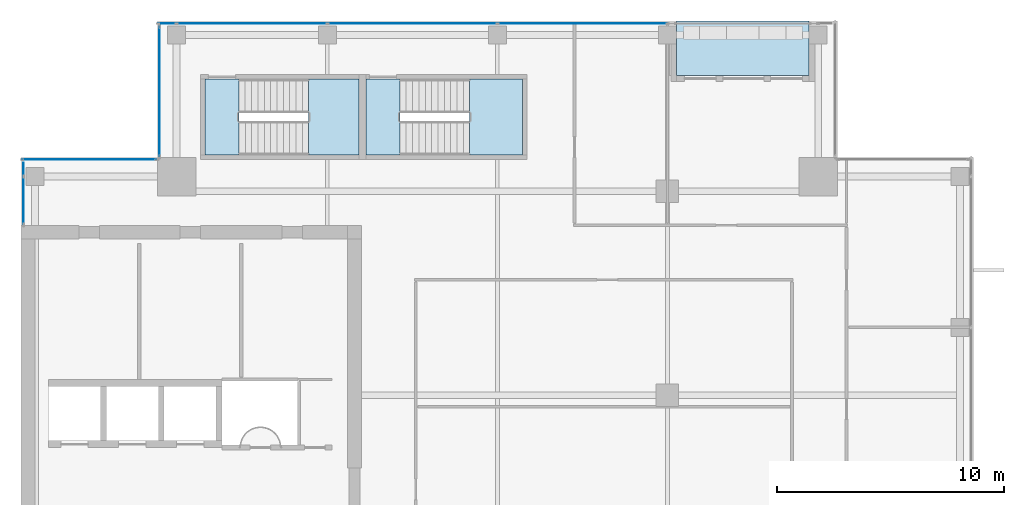
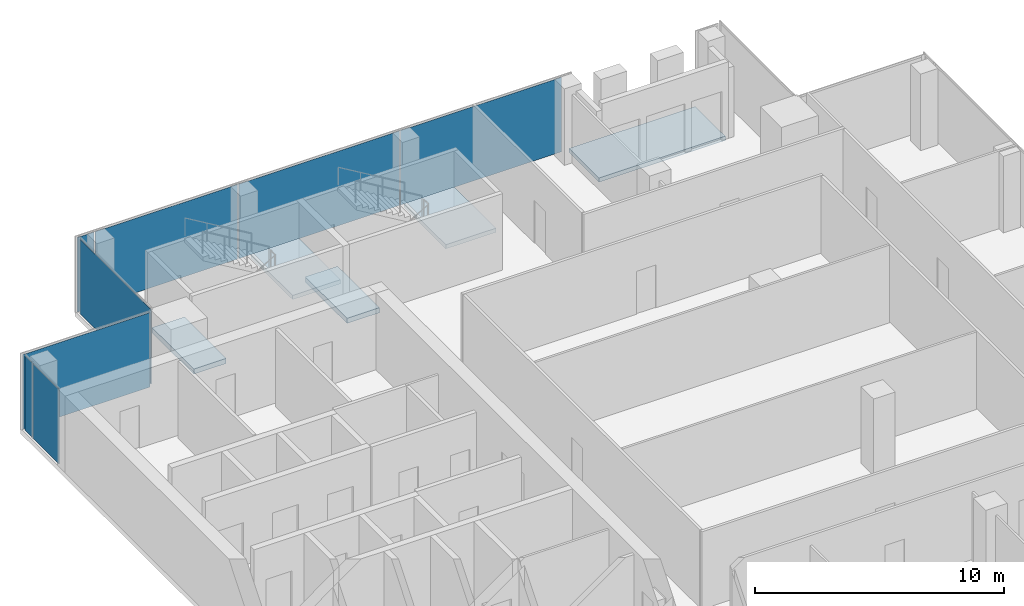
# One storey, part 22 of 29: 8 plates, 5 slabs, 6 elements without a shape of their own.
"""IFC4 building model written with IfcOpenShell, lengths in metres."""

from ifc_helpers import new_model, si_unit, direction, frame, origin, origin_2d, place, context, subcontext, project, spatial, polyline, rectangle, outline, extrude, source, transform, mapped, material, layer, layer_set, type_object, element, aggregate, save


model = new_model("IFC4")

# Units and contexts
model_context = context("Model", 3, precision=1e-05, world=origin(), true_north=direction((0.0, 1.0)))
body_context = subcontext(model_context, "Body", "Model", "MODEL_VIEW")
ifc_project = project(units=[si_unit("LENGTHUNIT", "METRE"), si_unit("AREAUNIT", "SQUARE_METRE"), si_unit("VOLUMEUNIT", "CUBIC_METRE"), si_unit("PLANEANGLEUNIT", "RADIAN"), si_unit("MASSUNIT", "GRAM", prefix="KILO")], contexts=[model_context])

# Site, building, storey
site_placement = place(None, origin())
site = spatial("IfcSite", under=ifc_project, at=site_placement, CompositionType="ELEMENT")
building_placement = place(site_placement, origin())
building = spatial("IfcBuilding", under=site, at=building_placement, Name="Khomas Fold Tower", CompositionType="ELEMENT")
storey_placement = place(building_placement, frame((0.0, 0.0, 290.199951171875)))
storey = spatial("IfcBuildingStorey", under=building, at=storey_placement, Name="L65", CompositionType="ELEMENT", Elevation=290.199951171875)

# Curtain wall, plate
ifc_material_1 = material(Name="Aluminium framed double glazing", Category="aluminium")
curtain_wall_type = type_object("IfcCurtainWallType", Name="SK-Unitised clear-glass wall, upper floors CW3", PredefinedType="NOTDEFINED", material=ifc_material_1)
curtain_wall_1_placement = place(storey_placement, origin())
curtain_wall_1 = element("IfcCurtainWall", 1, at=curtain_wall_1_placement, inside=storey, type_object=curtain_wall_type, Name="CW3 run L65 09-0", PredefinedType="NOTDEFINED")
ifc_material_2 = material(Name="Clear double glazed unit")
ifc_layer_1 = layer(ifc_material_2, 0.028076171875)
ifc_layer_set_1 = layer_set([ifc_layer_1], Name="Clear double glazed unit")
plate_type = type_object("IfcPlateType", Name="SK-Unitised clear-glass wall, upper floors glass panel CW3-P", PredefinedType="CURTAIN_PANEL", material=ifc_layer_set_1)
shared_shape_1 = source(origin(), body_context, "Body", "SweptSolid", [
    extrude(rectangle(XDim=0.574951171875, YDim=0.028076171875, at=origin_2d()), origin(), (0.0, 0.0, 1.0), 3.64990234375),
])
plate_1_placement = place(storey_placement, frame((6.10009765625, 41.46240234375, 0.0), z_axis=(0.0, 0.0, 1.0), x_axis=(0.0, -1.0, 0.0)))
plate_1 = element("IfcPlate", 2, at=plate_1_placement, type_object=plate_type, Name="CW3 glass panel 1", PredefinedType="CURTAIN_PANEL", context=body_context, shape_type="MappedRepresentation", body=[
    mapped(shared_shape_1, transform((0.0, 0.0, 0.0))),
])

# Curtain wall, plates
curtain_wall_2_placement = place(storey_placement, origin())
curtain_wall_2 = element("IfcCurtainWall", 3, at=curtain_wall_2_placement, inside=storey, type_object=curtain_wall_type, Name="CW3 run L65 06-1", PredefinedType="NOTDEFINED")
shared_shape_2 = source(origin(), body_context, "Body", "SweptSolid", [
    extrude(rectangle(XDim=6.60009765625, YDim=0.028076171875, at=origin_2d()), origin(), (0.0, 0.0, 1.0), 3.64990234375),
])
plate_2_placement = place(storey_placement, frame((16.175048828125, 47.89990234375, 0.0), z_axis=(0.0, 0.0, 1.0), x_axis=(-1.0, 0.0, 0.0)))
plate_2 = element("IfcPlate", 4, at=plate_2_placement, type_object=plate_type, Name="CW3 glass panel 4", PredefinedType="CURTAIN_PANEL", context=body_context, shape_type="MappedRepresentation", body=[
    mapped(shared_shape_2, transform((0.0, 0.0, 0.0))),
])
shared_shape_3 = source(origin(), body_context, "Body", "SweptSolid", [
    extrude(rectangle(XDim=7.449951171875, YDim=0.028076171875, at=origin_2d()), origin(), (0.0, 0.0, 1.0), 3.64990234375),
])
plate_3_placement = place(storey_placement, frame((30.75, 47.89990234375, 0.0), z_axis=(0.0, 0.0, 1.0), x_axis=(-1.0, 0.0, 0.0)))
plate_3 = element("IfcPlate", 5, at=plate_3_placement, type_object=plate_type, Name="CW3 glass panel 2", PredefinedType="CURTAIN_PANEL", context=body_context, shape_type="MappedRepresentation", body=[
    mapped(shared_shape_3, transform((0.0, 0.0, 0.0))),
])
plate_4_placement = place(storey_placement, frame((23.25, 47.89990234375, 0.0), z_axis=(0.0, 0.0, 1.0), x_axis=(-1.0, 0.0, 0.0)))
plate_4 = element("IfcPlate", 6, at=plate_4_placement, type_object=plate_type, Name="CW3 glass panel 3", PredefinedType="CURTAIN_PANEL", context=body_context, shape_type="MappedRepresentation", body=[
    mapped(shared_shape_3, transform((0.0, 0.0, 0.0))),
])
shared_shape_4 = source(origin(), body_context, "Body", "SweptSolid", [
    extrude(rectangle(XDim=0.77490234375, YDim=0.028076171875, at=origin_2d()), origin(), (0.0, 0.0, 1.0), 3.64990234375),
])
plate_5_placement = place(storey_placement, frame((12.4375, 47.89990234375, 0.0), z_axis=(0.0, 0.0, 1.0), x_axis=(-1.0, 0.0, 0.0)))
plate_5 = element("IfcPlate", 7, at=plate_5_placement, type_object=plate_type, Name="CW3 glass panel 5", PredefinedType="CURTAIN_PANEL", context=body_context, shape_type="MappedRepresentation", body=[
    mapped(shared_shape_4, transform((0.0, 0.0, 0.0))),
])
aggregate(curtain_wall_2, [plate_3, plate_4, plate_2, plate_5])

# Curtain wall, plate
curtain_wall_3_placement = place(storey_placement, origin())
curtain_wall_3 = element("IfcCurtainWall", 8, at=curtain_wall_3_placement, inside=storey, type_object=curtain_wall_type, Name="CW3 corner return L65 07", PredefinedType="NOTDEFINED")
shared_shape_5 = source(origin(), body_context, "Body", "SweptSolid", [
    extrude(rectangle(XDim=5.699951171875, YDim=0.028076171875, at=origin_2d()), origin(), (0.0, 0.0, 1.0), 3.64990234375),
])
plate_6_placement = place(storey_placement, frame((12.10009765625, 44.89990234375, 0.0), z_axis=(0.0, 0.0, 1.0), x_axis=(0.0, -1.0, 0.0)))
plate_6 = element("IfcPlate", 9, at=plate_6_placement, type_object=plate_type, Name="CW3 glass panel 1", PredefinedType="CURTAIN_PANEL", context=body_context, shape_type="MappedRepresentation", body=[
    mapped(shared_shape_5, transform((0.0, 0.0, 0.0))),
])
aggregate(curtain_wall_3, [plate_6])

curtain_wall_4_placement = place(storey_placement, origin())
curtain_wall_4 = element("IfcCurtainWall", 10, at=curtain_wall_4_placement, inside=storey, type_object=curtain_wall_type, Name="CW3 corner return L65 08", PredefinedType="NOTDEFINED")
shared_shape_6 = source(origin(), body_context, "Body", "SweptSolid", [
    extrude(rectangle(XDim=5.89990234375, YDim=0.028076171875, at=origin_2d()), origin(), (0.0, 0.0, 1.0), 3.64990234375),
])
plate_7_placement = place(storey_placement, frame((9.0, 41.89990234375, 0.0), z_axis=(0.0, 0.0, 1.0), x_axis=(-1.0, 0.0, 0.0)))
plate_7 = element("IfcPlate", 11, at=plate_7_placement, type_object=plate_type, Name="CW3 glass panel 1", PredefinedType="CURTAIN_PANEL", context=body_context, shape_type="MappedRepresentation", body=[
    mapped(shared_shape_6, transform((0.0, 0.0, 0.0))),
])
aggregate(curtain_wall_4, [plate_7])

# Plate
shared_shape_7 = source(origin(), body_context, "Body", "SweptSolid", [
    extrude(rectangle(XDim=2.074951171875, YDim=0.028076171875, at=origin_2d()), origin(), (0.0, 0.0, 1.0), 3.64990234375),
])
plate_8_placement = place(storey_placement, frame((6.10009765625, 40.08740234375, 0.0), z_axis=(0.0, 0.0, 1.0), x_axis=(0.0, -1.0, 0.0)))
plate_8 = element("IfcPlate", 12, at=plate_8_placement, type_object=plate_type, Name="CW3 glass panel 2", PredefinedType="CURTAIN_PANEL", context=body_context, shape_type="MappedRepresentation", body=[
    mapped(shared_shape_7, transform((0.0, 0.0, 0.0))),
])

aggregate(curtain_wall_1, [plate_1, plate_8])

# Slab
ifc_material_3 = material(Name="Concrete C40/50", Category="concrete")
ifc_layer_2 = layer(ifc_material_3, 0.205078125)
ifc_layer_set_2 = layer_set([ifc_layer_2], Name="Concrete C40/50")
slab_type_1 = type_object("IfcSlabType", Name="BL-Balcony deck 205", PredefinedType="FLOOR", material=ifc_layer_set_2)
shared_shape_8 = source(origin(), body_context, "Body", "SweptSolid", [
    extrude(outline(polyline([(34.89990234375, 45.60009765625), (40.75, 45.60009765625), (40.75, 48.0), (34.89990234375, 48.0), (34.89990234375, 45.60009765625)])), origin(), (0.0, 0.0, 1.0), 0.205078125),
])
slab_1_placement = place(storey_placement, frame((0.0, 0.0, -0.25)))
element("IfcSlab", 13, at=slab_1_placement, inside=storey, type_object=slab_type_1, Name="Balcony deck BAL-L65-N4", PredefinedType="FLOOR", context=body_context, shape_type="MappedRepresentation", body=[
    mapped(shared_shape_8, transform((0.0, 0.0, 0.0))),
])

# Stair, slab
ifc_material_4 = material(Name="Concrete C40/50", Category="concrete")
stair_type_1 = type_object("IfcStairType", Name="Stair ST1", PredefinedType="HALF_TURN_STAIR", material=ifc_material_4)
stair_1_placement = place(storey_placement, origin())
stair_1 = element("IfcStair", 14, at=stair_1_placement, inside=storey, type_object=stair_type_1, Name="L65 ST1", PredefinedType="HALF_TURN_STAIR")
ifc_material_5 = material(Name="Concrete C40/50", Category="concrete")
ifc_layer_3 = layer(ifc_material_5, 0.199951171875)
ifc_layer_set_3 = layer_set([ifc_layer_3], Name="Concrete C40/50")
slab_type_2 = type_object("IfcSlabType", Name="Stair landing 200", PredefinedType="LANDING", material=ifc_layer_set_3)
shared_shape_9 = source(origin(), body_context, "Body", "SweptSolid", [
    extrude(outline(polyline([(18.679931640625, 42.10009765625), (20.89990234375, 42.10009765625), (20.89990234375, 45.449951171875), (18.679931640625, 45.449951171875), (18.679931640625, 42.10009765625)])), origin(), (0.0, 0.0, 1.0), 0.199951171875),
])
slab_2_placement = place(storey_placement, frame((0.0, 0.0, 1.800048828125)))
slab_2 = element("IfcSlab", 15, at=slab_2_placement, type_object=slab_type_2, Name="ST1 landing 1", PredefinedType="LANDING", context=body_context, shape_type="MappedRepresentation", body=[
    mapped(shared_shape_9, transform((0.0, 0.0, 0.0))),
])
aggregate(stair_1, [slab_2])

# Slab
ifc_material_6 = material(Name="Concrete C40/50", Category="concrete")
ifc_layer_4 = layer(ifc_material_6, 0.25)
ifc_layer_set_4 = layer_set([ifc_layer_4], Name="Concrete C40/50")
slab_type_3 = type_object("IfcSlabType", Name="Stair floor landing 250", PredefinedType="LANDING", material=ifc_layer_set_4)
shared_shape_10 = source(origin(), body_context, "Body", "SweptSolid", [
    extrude(outline(polyline([(15.60009765625, 42.10009765625), (14.10009765625, 42.10009765625), (14.10009765625, 45.449951171875), (15.60009765625, 45.449951171875), (15.60009765625, 42.10009765625)])), origin(), (0.0, 0.0, 1.0), 0.25),
])
slab_3_placement = place(storey_placement, frame((0.0, 0.0, -0.25)))
element("IfcSlab", 16, at=slab_3_placement, inside=storey, type_object=slab_type_3, Name="ST1 floor landing", PredefinedType="LANDING", context=body_context, shape_type="MappedRepresentation", body=[
    mapped(shared_shape_10, transform((0.0, 0.0, 0.0))),
])

# Stair, slab
ifc_material_7 = material(Name="Concrete C40/50", Category="concrete")
stair_type_2 = type_object("IfcStairType", Name="Stair ST3", PredefinedType="HALF_TURN_STAIR", material=ifc_material_7)
stair_2_placement = place(storey_placement, origin())
stair_2 = element("IfcStair", 17, at=stair_2_placement, inside=storey, type_object=stair_type_2, Name="L65 ST3", PredefinedType="HALF_TURN_STAIR")
shared_shape_11 = source(origin(), body_context, "Body", "SweptSolid", [
    extrude(outline(polyline([(25.780029296875, 42.10009765625), (28.10009765625, 42.10009765625), (28.10009765625, 45.449951171875), (25.780029296875, 45.449951171875), (25.780029296875, 42.10009765625)])), origin(), (0.0, 0.0, 1.0), 0.199951171875),
])
slab_4_placement = place(storey_placement, frame((0.0, 0.0, 1.800048828125)))
slab_4 = element("IfcSlab", 18, at=slab_4_placement, type_object=slab_type_2, Name="ST3 landing 1", PredefinedType="LANDING", context=body_context, shape_type="MappedRepresentation", body=[
    mapped(shared_shape_11, transform((0.0, 0.0, 0.0))),
])
aggregate(stair_2, [slab_4])

# Slab
shared_shape_12 = source(origin(), body_context, "Body", "SweptSolid", [
    extrude(outline(polyline([(22.699951171875, 42.10009765625), (21.199951171875, 42.10009765625), (21.199951171875, 45.449951171875), (22.699951171875, 45.449951171875), (22.699951171875, 42.10009765625)])), origin(), (0.0, 0.0, 1.0), 0.25),
])
slab_5_placement = place(storey_placement, frame((0.0, 0.0, -0.25)))
element("IfcSlab", 19, at=slab_5_placement, inside=storey, type_object=slab_type_3, Name="ST3 floor landing", PredefinedType="LANDING", context=body_context, shape_type="MappedRepresentation", body=[
    mapped(shared_shape_12, transform((0.0, 0.0, 0.0))),
])

save(model, "model.ifc")
